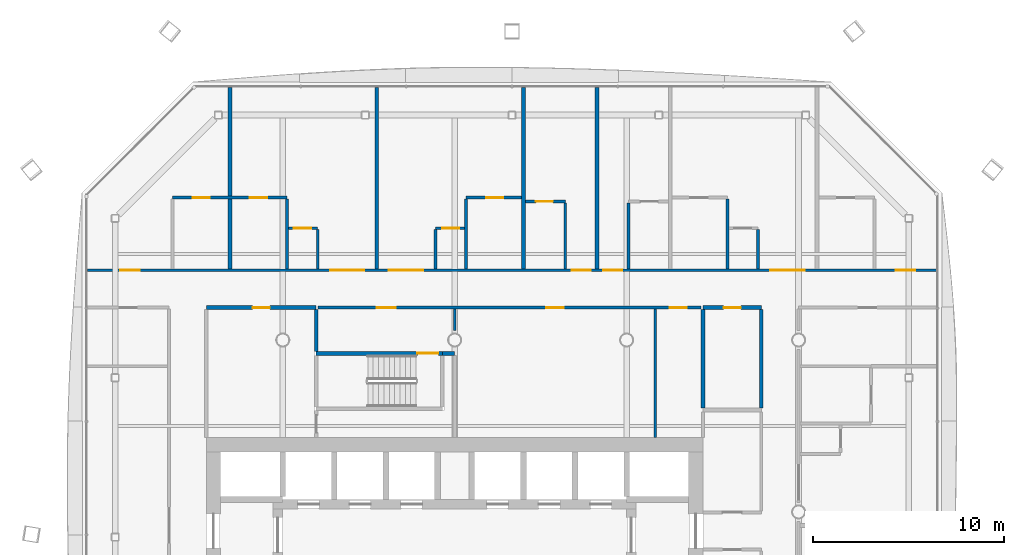
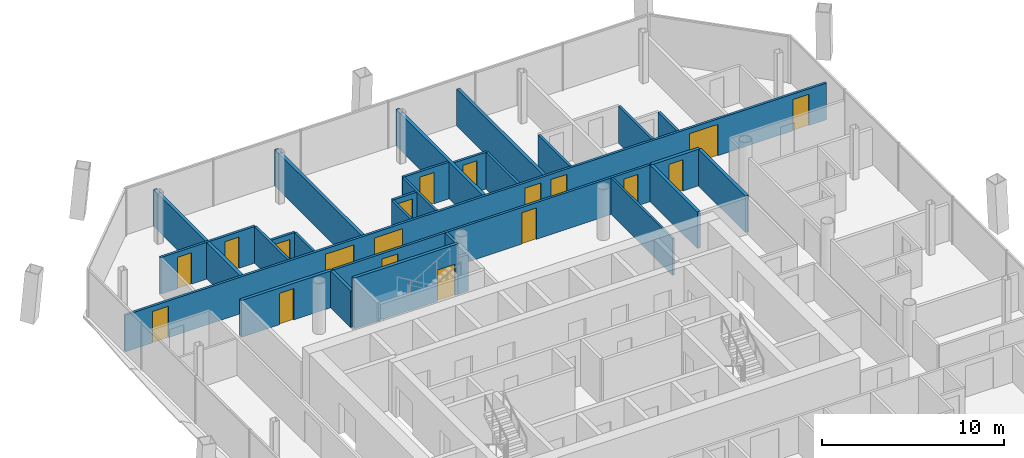
# One storey, part 14 of 18: 28 walls, 19 doors, 19 openings.
"""IFC4 building model written with IfcOpenShell, lengths in metres."""

from ifc_helpers import new_model, si_unit, direction, frame, frame_2d, origin, place, context, subcontext, project, spatial, rectangle, extrude, material, layer, layer_set, type_object, element, fill, save


model = new_model("IFC4")

# Units and contexts
model_context = context("Model", 3, precision=1e-05, world=origin(), true_north=direction((0.0, 1.0)))
body_context = subcontext(model_context, "Body", "Model", "MODEL_VIEW")
ifc_project = project(units=[si_unit("LENGTHUNIT", "METRE"), si_unit("AREAUNIT", "SQUARE_METRE"), si_unit("VOLUMEUNIT", "CUBIC_METRE"), si_unit("PLANEANGLEUNIT", "RADIAN"), si_unit("MASSUNIT", "GRAM", prefix="KILO")], contexts=[model_context])

# Site, building, storey
site_placement = place(None, origin())
site = spatial("IfcSite", under=ifc_project, at=site_placement, CompositionType="ELEMENT")
building_placement = place(site_placement, origin())
building = spatial("IfcBuilding", under=site, at=building_placement, Name="Tskaro Facet Tower", CompositionType="ELEMENT")
storey_placement = place(building_placement, frame((0.0, 0.0, 145.300048828125)))
storey = spatial("IfcBuildingStorey", under=building, at=storey_placement, Name="L35", CompositionType="ELEMENT", Elevation=145.300048828125)

# Wall
ifc_material_1 = material(Name="Gypsum board on steel studs", Category="steel")
ifc_layer_1 = layer(ifc_material_1, 0.125, Name="Gypsum board on steel studs")
ifc_layer_set_1 = layer_set([ifc_layer_1], Name="Gypsum board on steel studs")
wall_type_1 = type_object("IfcWallType", Name="PART", PredefinedType="PARTITIONING", material=ifc_layer_set_1)
wall_1_placement = place(storey_placement, frame((10.5, 3.89990234375, 0.0), z_axis=(0.0, 0.0, 1.0), x_axis=(0.0, 1.0, 0.0)))
element("IfcWall", 1, at=wall_1_placement, inside=storey, type_object=wall_type_1, Name="Partition W101", PredefinedType="PARTITIONING", context=body_context, shape_type="SweptSolid", body=[
    extrude(rectangle(XDim=6.72509765625, YDim=0.125, at=frame_2d((3.362548828125, 0.0))), origin(), (0.0, 0.0, 1.0), 2.4599609375),
])

# Wall, openings, doors
ifc_layer_2 = layer(ifc_material_1, 0.14990234375, Name="Gypsum board on steel studs")
ifc_layer_set_2 = layer_set([ifc_layer_2], Name="Gypsum board on steel studs")
wall_type_2 = type_object("IfcWallType", Name="PART-CORR", PredefinedType="PARTITIONING", material=ifc_layer_set_2)
wall_2_placement = place(storey_placement, frame((12.89990234375, 10.699951171875, 0.0), z_axis=(0.0, 0.0, 1.0), x_axis=(-1.0, 0.0, 0.0)))
wall_2 = element("IfcWall", 2, at=wall_2_placement, inside=storey, type_object=wall_type_2, Name="Corridor wall W041", PredefinedType="PARTITIONING", context=body_context, shape_type="SweptSolid", body=[
    extrude(rectangle(XDim=20.0498046875, YDim=0.14990234375, at=frame_2d((10.02490234375, 0.0))), origin(), (0.0, 0.0, 1.0), 2.4599609375),
])
opening_1_placement = place(wall_2_placement, frame((15.97509765625, 0.0, 0.0)))
opening_1 = element("IfcOpeningElement", 3, at=opening_1_placement, cuts=wall_2, Name="Opening T10-D44", PredefinedType="OPENING", context=body_context, shape_type="SweptSolid", body=[
    extrude(rectangle(XDim=1.0, YDim=2.10009765625, at=frame_2d((0.5, 1.050048828125))), frame((0.0, 0.0849609375, 0.0), z_axis=(0.0, -1.0, 0.0), x_axis=(1.0, 0.0, 0.0)), (0.0, 0.0, 1.0), 0.169921875),
])
opening_2_placement = place(wall_2_placement, frame((7.199951171875, 0.0, 0.0)))
opening_2 = element("IfcOpeningElement", 4, at=opening_2_placement, cuts=wall_2, Name="Opening T10-D45", PredefinedType="OPENING", context=body_context, shape_type="SweptSolid", body=[
    extrude(rectangle(XDim=0.89990234375, YDim=2.10009765625, at=frame_2d((0.449951171875, 1.050048828125))), frame((0.0, 0.0849609375, 0.0), z_axis=(0.0, -1.0, 0.0), x_axis=(1.0, 0.0, 0.0)), (0.0, 0.0, 1.0), 0.169921875),
])
opening_3_placement = place(wall_2_placement, frame((0.75, 0.0, 0.0)))
opening_3 = element("IfcOpeningElement", 5, at=opening_3_placement, cuts=wall_2, Name="Opening T10-D46", PredefinedType="OPENING", context=body_context, shape_type="SweptSolid", body=[
    extrude(rectangle(XDim=0.89990234375, YDim=2.10009765625, at=frame_2d((0.449951171875, 1.050048828125))), frame((0.0, 0.0849609375, 0.0), z_axis=(0.0, -1.0, 0.0), x_axis=(1.0, 0.0, 0.0)), (0.0, 0.0, 1.0), 0.169921875),
])
ifc_material_2 = material(Name="Steel", Category="steel")
door_type_1 = type_object("IfcDoorType", Name="D-LOBBY", OperationType="NOTDEFINED", PredefinedType="DOOR", material=ifc_material_2)
door_1_placement = place(opening_1_placement, origin())
door_1 = element("IfcDoor", 6, at=door_1_placement, inside=storey, type_object=door_type_1, Name="Stair lobby door", OperationType="SINGLE_SWING_RIGHT", OverallHeight=2.10009765625, OverallWidth=1.0, PredefinedType="DOOR", context=body_context, shape_type="SweptSolid", body=[
    extrude(rectangle(XDim=1.0, YDim=2.10009765625, at=frame_2d((0.5, 1.050048828125))), frame((0.0, 0.02490234375, 0.0), z_axis=(0.0, -1.0, 0.0), x_axis=(1.0, 0.0, 0.0)), (0.0, 0.0, 1.0), 0.050048828125),
])
fill(opening_1, door_1)
ifc_material_3 = material(Name="Timber", Category="wood")
door_type_2 = type_object("IfcDoorType", Name="D-ROOM", OperationType="NOTDEFINED", PredefinedType="DOOR", material=ifc_material_3)
door_2_placement = place(opening_2_placement, origin())
door_2 = element("IfcDoor", 7, at=door_2_placement, inside=storey, type_object=door_type_2, Name="Door T10-D45", OperationType="SINGLE_SWING_RIGHT", OverallHeight=2.10009765625, OverallWidth=0.89990234375, PredefinedType="DOOR", context=body_context, shape_type="SweptSolid", body=[
    extrude(rectangle(XDim=0.89990234375, YDim=2.10009765625, at=frame_2d((0.449951171875, 1.050048828125))), frame((0.0, 0.02490234375, 0.0), z_axis=(0.0, -1.0, 0.0), x_axis=(1.0, 0.0, 0.0)), (0.0, 0.0, 1.0), 0.050048828125),
])
fill(opening_2, door_2)
door_3_placement = place(opening_3_placement, origin())
door_3 = element("IfcDoor", 8, at=door_3_placement, inside=storey, type_object=door_type_2, Name="Door T10-D46", OperationType="SINGLE_SWING_RIGHT", OverallHeight=2.10009765625, OverallWidth=0.89990234375, PredefinedType="DOOR", context=body_context, shape_type="SweptSolid", body=[
    extrude(rectangle(XDim=0.89990234375, YDim=2.10009765625, at=frame_2d((0.449951171875, 1.050048828125))), frame((0.0, 0.02490234375, 0.0), z_axis=(0.0, -1.0, 0.0), x_axis=(1.0, 0.0, 0.0)), (0.0, 0.0, 1.0), 0.050048828125),
])
fill(opening_3, door_3)

wall_3_placement = place(storey_placement, frame((-19.221923828125, 12.64990234375, 0.0), z_axis=(0.0, 0.0, 1.0), x_axis=(1.0, 0.0, 0.0)))
wall_3 = element("IfcWall", 9, at=wall_3_placement, inside=storey, type_object=wall_type_2, Name="Corridor wall W044", PredefinedType="PARTITIONING", context=body_context, shape_type="SweptSolid", body=[
    extrude(rectangle(XDim=44.44384765625, YDim=0.14990234375, at=frame_2d((22.221923828125, 0.0))), origin(), (0.0, 0.0, 1.0), 2.4599609375),
])
opening_4_placement = place(wall_3_placement, frame((1.72705078125, 0.0, 0.0)))
opening_4 = element("IfcOpeningElement", 10, at=opening_4_placement, cuts=wall_3, Name="Opening T10-D49", PredefinedType="OPENING", context=body_context, shape_type="SweptSolid", body=[
    extrude(rectangle(XDim=1.0, YDim=2.10009765625, at=frame_2d((0.5, 1.050048828125))), frame((0.0, 0.0849609375, 0.0), z_axis=(0.0, -1.0, 0.0), x_axis=(1.0, 0.0, 0.0)), (0.0, 0.0, 1.0), 0.169921875),
])
opening_5_placement = place(wall_3_placement, frame((12.696044921875, 0.0, 0.0)))
opening_5 = element("IfcOpeningElement", 11, at=opening_5_placement, cuts=wall_3, Name="Opening T10-D50", PredefinedType="OPENING", context=body_context, shape_type="SweptSolid", body=[
    extrude(rectangle(XDim=1.800048828125, YDim=2.10009765625, at=frame_2d((0.89990234375, 1.050048828125))), frame((0.0, 0.0849609375, 0.0), z_axis=(0.0, -1.0, 0.0), x_axis=(1.0, 0.0, 0.0)), (0.0, 0.0, 1.0), 0.169921875),
])
opening_6_placement = place(wall_3_placement, frame((15.780029296875, 0.0, 0.0)))
opening_6 = element("IfcOpeningElement", 12, at=opening_6_placement, cuts=wall_3, Name="Opening T10-D51", PredefinedType="OPENING", context=body_context, shape_type="SweptSolid", body=[
    extrude(rectangle(XDim=1.800048828125, YDim=2.10009765625, at=frame_2d((0.89990234375, 1.050048828125))), frame((0.0, 0.0849609375, 0.0), z_axis=(0.0, -1.0, 0.0), x_axis=(1.0, 0.0, 0.0)), (0.0, 0.0, 1.0), 0.169921875),
])
opening_7_placement = place(wall_3_placement, frame((25.337890625, 0.0, 0.0)))
opening_7 = element("IfcOpeningElement", 13, at=opening_7_placement, cuts=wall_3, Name="Opening T10-D52", PredefinedType="OPENING", context=body_context, shape_type="SweptSolid", body=[
    extrude(rectangle(XDim=1.0, YDim=2.10009765625, at=frame_2d((0.5, 1.050048828125))), frame((0.0, 0.0849609375, 0.0), z_axis=(0.0, -1.0, 0.0), x_axis=(1.0, 0.0, 0.0)), (0.0, 0.0, 1.0), 0.169921875),
])
opening_8_placement = place(wall_3_placement, frame((26.989990234375, 0.0, 0.0)))
opening_8 = element("IfcOpeningElement", 14, at=opening_8_placement, cuts=wall_3, Name="Opening T10-D53", PredefinedType="OPENING", context=body_context, shape_type="SweptSolid", body=[
    extrude(rectangle(XDim=1.0, YDim=2.10009765625, at=frame_2d((0.5, 1.050048828125))), frame((0.0, 0.0849609375, 0.0), z_axis=(0.0, -1.0, 0.0), x_axis=(1.0, 0.0, 0.0)), (0.0, 0.0, 1.0), 0.169921875),
])
opening_9_placement = place(wall_3_placement, frame((35.748046875, 0.0, 0.0)))
opening_9 = element("IfcOpeningElement", 15, at=opening_9_placement, cuts=wall_3, Name="Opening T10-D54", PredefinedType="OPENING", context=body_context, shape_type="SweptSolid", body=[
    extrude(rectangle(XDim=1.800048828125, YDim=2.10009765625, at=frame_2d((0.89990234375, 1.050048828125))), frame((0.0, 0.0849609375, 0.0), z_axis=(0.0, -1.0, 0.0), x_axis=(1.0, 0.0, 0.0)), (0.0, 0.0, 1.0), 0.169921875),
])
opening_10_placement = place(wall_3_placement, frame((42.31689453125, 0.0, 0.0)))
opening_10 = element("IfcOpeningElement", 16, at=opening_10_placement, cuts=wall_3, Name="Opening T10-D55", PredefinedType="OPENING", context=body_context, shape_type="SweptSolid", body=[
    extrude(rectangle(XDim=1.0, YDim=2.10009765625, at=frame_2d((0.5, 1.050048828125))), frame((0.0, 0.0849609375, 0.0), z_axis=(0.0, -1.0, 0.0), x_axis=(1.0, 0.0, 0.0)), (0.0, 0.0, 1.0), 0.169921875),
])
door_type_3 = type_object("IfcDoorType", Name="D-ENTRY", OperationType="NOTDEFINED", PredefinedType="DOOR", material=ifc_material_3)
door_4_placement = place(opening_4_placement, origin())
door_4 = element("IfcDoor", 17, at=door_4_placement, inside=storey, type_object=door_type_3, Name="Door T10-D49", OperationType="SINGLE_SWING_RIGHT", OverallHeight=2.10009765625, OverallWidth=1.0, PredefinedType="DOOR", context=body_context, shape_type="SweptSolid", body=[
    extrude(rectangle(XDim=1.0, YDim=2.10009765625, at=frame_2d((0.5, 1.050048828125))), frame((0.0, 0.02490234375, 0.0), z_axis=(0.0, -1.0, 0.0), x_axis=(1.0, 0.0, 0.0)), (0.0, 0.0, 1.0), 0.050048828125),
])
fill(opening_4, door_4)
door_5_placement = place(opening_7_placement, origin())
door_5 = element("IfcDoor", 18, at=door_5_placement, inside=storey, type_object=door_type_3, Name="Door T10-D52", OperationType="SINGLE_SWING_RIGHT", OverallHeight=2.10009765625, OverallWidth=1.0, PredefinedType="DOOR", context=body_context, shape_type="SweptSolid", body=[
    extrude(rectangle(XDim=1.0, YDim=2.10009765625, at=frame_2d((0.5, 1.050048828125))), frame((0.0, 0.02490234375, 0.0), z_axis=(0.0, -1.0, 0.0), x_axis=(1.0, 0.0, 0.0)), (0.0, 0.0, 1.0), 0.050048828125),
])
fill(opening_7, door_5)
door_6_placement = place(opening_8_placement, origin())
door_6 = element("IfcDoor", 19, at=door_6_placement, inside=storey, type_object=door_type_3, Name="Door T10-D53", OperationType="SINGLE_SWING_RIGHT", OverallHeight=2.10009765625, OverallWidth=1.0, PredefinedType="DOOR", context=body_context, shape_type="SweptSolid", body=[
    extrude(rectangle(XDim=1.0, YDim=2.10009765625, at=frame_2d((0.5, 1.050048828125))), frame((0.0, 0.02490234375, 0.0), z_axis=(0.0, -1.0, 0.0), x_axis=(1.0, 0.0, 0.0)), (0.0, 0.0, 1.0), 0.050048828125),
])
fill(opening_8, door_6)
door_7_placement = place(opening_10_placement, origin())
door_7 = element("IfcDoor", 20, at=door_7_placement, inside=storey, type_object=door_type_3, Name="Door T10-D55", OperationType="SINGLE_SWING_RIGHT", OverallHeight=2.10009765625, OverallWidth=1.0, PredefinedType="DOOR", context=body_context, shape_type="SweptSolid", body=[
    extrude(rectangle(XDim=1.0, YDim=2.10009765625, at=frame_2d((0.5, 1.050048828125))), frame((0.0, 0.02490234375, 0.0), z_axis=(0.0, -1.0, 0.0), x_axis=(1.0, 0.0, 0.0)), (0.0, 0.0, 1.0), 0.050048828125),
])
fill(opening_10, door_7)
door_type_4 = type_object("IfcDoorType", Name="D-SUITE-PAIR", OperationType="NOTDEFINED", PredefinedType="DOOR", material=ifc_material_3)
door_8_placement = place(opening_5_placement, origin())
door_8 = element("IfcDoor", 21, at=door_8_placement, inside=storey, type_object=door_type_4, Name="Door T10-D50", OperationType="DOUBLE_DOOR_SINGLE_SWING", OverallHeight=2.10009765625, OverallWidth=1.800048828125, PredefinedType="DOOR", context=body_context, shape_type="SweptSolid", body=[
    extrude(rectangle(XDim=1.800048828125, YDim=2.10009765625, at=frame_2d((0.89990234375, 1.050048828125))), frame((0.0, 0.02490234375, 0.0), z_axis=(0.0, -1.0, 0.0), x_axis=(1.0, 0.0, 0.0)), (0.0, 0.0, 1.0), 0.050048828125),
])
fill(opening_5, door_8)
door_9_placement = place(opening_6_placement, origin())
door_9 = element("IfcDoor", 22, at=door_9_placement, inside=storey, type_object=door_type_4, Name="Door T10-D51", OperationType="DOUBLE_DOOR_SINGLE_SWING", OverallHeight=2.10009765625, OverallWidth=1.800048828125, PredefinedType="DOOR", context=body_context, shape_type="SweptSolid", body=[
    extrude(rectangle(XDim=1.800048828125, YDim=2.10009765625, at=frame_2d((0.89990234375, 1.050048828125))), frame((0.0, 0.02490234375, 0.0), z_axis=(0.0, -1.0, 0.0), x_axis=(1.0, 0.0, 0.0)), (0.0, 0.0, 1.0), 0.050048828125),
])
fill(opening_6, door_9)
door_10_placement = place(opening_9_placement, origin())
door_10 = element("IfcDoor", 23, at=door_10_placement, inside=storey, type_object=door_type_4, Name="Door T10-D54", OperationType="DOUBLE_DOOR_SINGLE_SWING", OverallHeight=2.10009765625, OverallWidth=1.800048828125, PredefinedType="DOOR", context=body_context, shape_type="SweptSolid", body=[
    extrude(rectangle(XDim=1.800048828125, YDim=2.10009765625, at=frame_2d((0.89990234375, 1.050048828125))), frame((0.0, 0.02490234375, 0.0), z_axis=(0.0, -1.0, 0.0), x_axis=(1.0, 0.0, 0.0)), (0.0, 0.0, 1.0), 0.050048828125),
])
fill(opening_9, door_10)

# Wall, opening, door
wall_4_placement = place(storey_placement, frame((-7.16796875, 14.85009765625, 0.0), z_axis=(0.0, 0.0, 1.0), x_axis=(-1.0, 0.0, 0.0)))
wall_4 = element("IfcWall", 24, at=wall_4_placement, inside=storey, type_object=wall_type_2, Name="Corridor wall W045", PredefinedType="PARTITIONING", context=body_context, shape_type="SweptSolid", body=[
    extrude(rectangle(XDim=1.525146484375, YDim=0.14990234375, at=frame_2d((0.7626953125, 0.0))), origin(), (0.0, 0.0, 1.0), 2.4599609375),
])
opening_11_placement = place(wall_4_placement, frame((0.35009765625, 0.0, 0.0)))
opening_11 = element("IfcOpeningElement", 25, at=opening_11_placement, cuts=wall_4, Name="Opening T10-D56", PredefinedType="OPENING", context=body_context, shape_type="SweptSolid", body=[
    extrude(rectangle(XDim=0.89990234375, YDim=2.10009765625, at=frame_2d((0.449951171875, 1.050048828125))), frame((0.0, 0.0849609375, 0.0), z_axis=(0.0, -1.0, 0.0), x_axis=(1.0, 0.0, 0.0)), (0.0, 0.0, 1.0), 0.169921875),
])
door_11_placement = place(opening_11_placement, origin())
door_11 = element("IfcDoor", 26, at=door_11_placement, inside=storey, type_object=door_type_2, Name="Door T10-D56", OperationType="SINGLE_SWING_RIGHT", OverallHeight=2.10009765625, OverallWidth=0.89990234375, PredefinedType="DOOR", context=body_context, shape_type="SweptSolid", body=[
    extrude(rectangle(XDim=0.89990234375, YDim=2.10009765625, at=frame_2d((0.449951171875, 1.050048828125))), frame((0.0, 0.02490234375, 0.0), z_axis=(0.0, -1.0, 0.0), x_axis=(1.0, 0.0, 0.0)), (0.0, 0.0, 1.0), 0.050048828125),
])
fill(opening_11, door_11)

wall_5_placement = place(storey_placement, frame((0.52490234375, 14.85009765625, 0.0), z_axis=(0.0, 0.0, 1.0), x_axis=(-1.0, 0.0, 0.0)))
wall_5 = element("IfcWall", 27, at=wall_5_placement, inside=storey, type_object=wall_type_2, Name="Corridor wall W046", PredefinedType="PARTITIONING", context=body_context, shape_type="SweptSolid", body=[
    extrude(rectangle(XDim=1.52490234375, YDim=0.14990234375, at=frame_2d((0.762451171875, 0.0))), origin(), (0.0, 0.0, 1.0), 2.4599609375),
])
opening_12_placement = place(wall_5_placement, frame((0.27490234375, 0.0, 0.0)))
opening_12 = element("IfcOpeningElement", 28, at=opening_12_placement, cuts=wall_5, Name="Opening T10-D57", PredefinedType="OPENING", context=body_context, shape_type="SweptSolid", body=[
    extrude(rectangle(XDim=0.89990234375, YDim=2.10009765625, at=frame_2d((0.449951171875, 1.050048828125))), frame((0.0, 0.0849609375, 0.0), z_axis=(0.0, -1.0, 0.0), x_axis=(1.0, 0.0, 0.0)), (0.0, 0.0, 1.0), 0.169921875),
])
door_12_placement = place(opening_12_placement, origin())
door_12 = element("IfcDoor", 29, at=door_12_placement, inside=storey, type_object=door_type_2, Name="Door T10-D57", OperationType="SINGLE_SWING_RIGHT", OverallHeight=2.10009765625, OverallWidth=0.89990234375, PredefinedType="DOOR", context=body_context, shape_type="SweptSolid", body=[
    extrude(rectangle(XDim=0.89990234375, YDim=2.10009765625, at=frame_2d((0.449951171875, 1.050048828125))), frame((0.0, 0.02490234375, 0.0), z_axis=(0.0, -1.0, 0.0), x_axis=(1.0, 0.0, 0.0)), (0.0, 0.0, 1.0), 0.050048828125),
])
fill(opening_12, door_12)

wall_6_placement = place(storey_placement, frame((5.7900390625, 16.25, 0.0), z_axis=(0.0, 0.0, 1.0), x_axis=(-1.0, 0.0, 0.0)))
wall_6 = element("IfcWall", 30, at=wall_6_placement, inside=storey, type_object=wall_type_2, Name="Corridor wall W048", PredefinedType="PARTITIONING", context=body_context, shape_type="SweptSolid", body=[
    extrude(rectangle(XDim=2.090087890625, YDim=0.14990234375, at=frame_2d((1.044921875, 0.0))), origin(), (0.0, 0.0, 1.0), 2.4599609375),
])
opening_13_placement = place(wall_6_placement, frame((0.64501953125, 0.0, 0.0)))
opening_13 = element("IfcOpeningElement", 31, at=opening_13_placement, cuts=wall_6, Name="Opening T10-D59", PredefinedType="OPENING", context=body_context, shape_type="SweptSolid", body=[
    extrude(rectangle(XDim=0.89990234375, YDim=2.10009765625, at=frame_2d((0.449951171875, 1.050048828125))), frame((0.0, 0.0849609375, 0.0), z_axis=(0.0, -1.0, 0.0), x_axis=(1.0, 0.0, 0.0)), (0.0, 0.0, 1.0), 0.169921875),
])
door_13_placement = place(opening_13_placement, origin())
door_13 = element("IfcDoor", 32, at=door_13_placement, inside=storey, type_object=door_type_2, Name="Door T10-D59", OperationType="SINGLE_SWING_RIGHT", OverallHeight=2.10009765625, OverallWidth=0.89990234375, PredefinedType="DOOR", context=body_context, shape_type="SweptSolid", body=[
    extrude(rectangle(XDim=0.89990234375, YDim=2.10009765625, at=frame_2d((0.449951171875, 1.050048828125))), frame((0.0, 0.02490234375, 0.0), z_axis=(0.0, -1.0, 0.0), x_axis=(1.0, 0.0, 0.0)), (0.0, 0.0, 1.0), 0.050048828125),
])
fill(opening_13, door_13)

# Wall, openings, doors
wall_7_placement = place(storey_placement, frame((-8.76806640625, 16.449951171875, 0.0), z_axis=(0.0, 0.0, 1.0), x_axis=(-1.0, 0.0, 0.0)))
wall_7 = element("IfcWall", 33, at=wall_7_placement, inside=storey, type_object=wall_type_2, Name="Corridor wall W050", PredefinedType="PARTITIONING", context=body_context, shape_type="SweptSolid", body=[
    extrude(rectangle(XDim=6.0, YDim=0.14990234375, at=frame_2d((3.0, 0.0))), origin(), (0.0, 0.0, 1.0), 2.4599609375),
])
opening_14_placement = place(wall_7_placement, frame((4.050048828125, 0.0, 0.0)))
opening_14 = element("IfcOpeningElement", 34, at=opening_14_placement, cuts=wall_7, Name="Opening T10-D61", PredefinedType="OPENING", context=body_context, shape_type="SweptSolid", body=[
    extrude(rectangle(XDim=0.89990234375, YDim=2.10009765625, at=frame_2d((0.449951171875, 1.050048828125))), frame((0.0, 0.0849609375, 0.0), z_axis=(0.0, -1.0, 0.0), x_axis=(1.0, 0.0, 0.0)), (0.0, 0.0, 1.0), 0.169921875),
])
opening_15_placement = place(wall_7_placement, frame((1.050048828125, 0.0, 0.0)))
opening_15 = element("IfcOpeningElement", 35, at=opening_15_placement, cuts=wall_7, Name="Opening T10-D62", PredefinedType="OPENING", context=body_context, shape_type="SweptSolid", body=[
    extrude(rectangle(XDim=0.89990234375, YDim=2.10009765625, at=frame_2d((0.449951171875, 1.050048828125))), frame((0.0, 0.0849609375, 0.0), z_axis=(0.0, -1.0, 0.0), x_axis=(1.0, 0.0, 0.0)), (0.0, 0.0, 1.0), 0.169921875),
])
door_14_placement = place(opening_14_placement, origin())
door_14 = element("IfcDoor", 36, at=door_14_placement, inside=storey, type_object=door_type_2, Name="Door T10-D61", OperationType="SINGLE_SWING_RIGHT", OverallHeight=2.10009765625, OverallWidth=0.89990234375, PredefinedType="DOOR", context=body_context, shape_type="SweptSolid", body=[
    extrude(rectangle(XDim=0.89990234375, YDim=2.10009765625, at=frame_2d((0.449951171875, 1.050048828125))), frame((0.0, 0.02490234375, 0.0), z_axis=(0.0, -1.0, 0.0), x_axis=(1.0, 0.0, 0.0)), (0.0, 0.0, 1.0), 0.050048828125),
])
fill(opening_14, door_14)
door_15_placement = place(opening_15_placement, origin())
door_15 = element("IfcDoor", 37, at=door_15_placement, inside=storey, type_object=door_type_2, Name="Door T10-D62", OperationType="SINGLE_SWING_RIGHT", OverallHeight=2.10009765625, OverallWidth=0.89990234375, PredefinedType="DOOR", context=body_context, shape_type="SweptSolid", body=[
    extrude(rectangle(XDim=0.89990234375, YDim=2.10009765625, at=frame_2d((0.449951171875, 1.050048828125))), frame((0.0, 0.02490234375, 0.0), z_axis=(0.0, -1.0, 0.0), x_axis=(1.0, 0.0, 0.0)), (0.0, 0.0, 1.0), 0.050048828125),
])
fill(opening_15, door_15)

# Wall, opening, door
wall_8_placement = place(storey_placement, frame((3.5, 16.449951171875, 0.0), z_axis=(0.0, 0.0, 1.0), x_axis=(-1.0, 0.0, 0.0)))
wall_8 = element("IfcWall", 38, at=wall_8_placement, inside=storey, type_object=wall_type_2, Name="Corridor wall W051", PredefinedType="PARTITIONING", context=body_context, shape_type="SweptSolid", body=[
    extrude(rectangle(XDim=2.89990234375, YDim=0.14990234375, at=frame_2d((1.449951171875, 0.0))), origin(), (0.0, 0.0, 1.0), 2.4599609375),
])
opening_16_placement = place(wall_8_placement, frame((0.949951171875, 0.0, 0.0)))
opening_16 = element("IfcOpeningElement", 39, at=opening_16_placement, cuts=wall_8, Name="Opening T10-D63", PredefinedType="OPENING", context=body_context, shape_type="SweptSolid", body=[
    extrude(rectangle(XDim=0.89990234375, YDim=2.10009765625, at=frame_2d((0.449951171875, 1.050048828125))), frame((0.0, 0.0849609375, 0.0), z_axis=(0.0, -1.0, 0.0), x_axis=(1.0, 0.0, 0.0)), (0.0, 0.0, 1.0), 0.169921875),
])
door_16_placement = place(opening_16_placement, origin())
door_16 = element("IfcDoor", 40, at=door_16_placement, inside=storey, type_object=door_type_2, Name="Door T10-D63", OperationType="SINGLE_SWING_RIGHT", OverallHeight=2.10009765625, OverallWidth=0.89990234375, PredefinedType="DOOR", context=body_context, shape_type="SweptSolid", body=[
    extrude(rectangle(XDim=0.89990234375, YDim=2.10009765625, at=frame_2d((0.449951171875, 1.050048828125))), frame((0.0, 0.02490234375, 0.0), z_axis=(0.0, -1.0, 0.0), x_axis=(1.0, 0.0, 0.0)), (0.0, 0.0, 1.0), 0.050048828125),
])
fill(opening_16, door_16)

# Walls
wall_9_placement = place(storey_placement, frame((-8.76806640625, 12.72509765625, 0.0), z_axis=(0.0, 0.0, 1.0), x_axis=(0.0, 1.0, 0.0)))
element("IfcWall", 41, at=wall_9_placement, inside=storey, type_object=wall_type_2, Name="Corridor wall W063", PredefinedType="PARTITIONING", context=body_context, shape_type="SweptSolid", body=[
    extrude(rectangle(XDim=3.64990234375, YDim=0.14990234375, at=frame_2d((1.824951171875, 0.0))), origin(), (0.0, 0.0, 1.0), 2.4599609375),
])
for number, where, z_axis, x_axis, name in (
    (42, (-7.16796875, 12.72509765625, 0.0), (0.0, 0.0, 1.0), (0.0, 1.0, 0.0), "Corridor wall W067"),
    (43, (-1.0, 12.72509765625, 0.0), (0.0, 0.0, 1.0), (0.0, 1.0, 0.0), "Corridor wall W076"),
):
    element("IfcWall", number, at=place(storey_placement, frame(where, z_axis=z_axis, x_axis=x_axis)), inside=storey, type_object=wall_type_2, Name=name, PredefinedType="PARTITIONING", context=body_context, shape_type="SweptSolid", body=[
        extrude(rectangle(XDim=2.0498046875, YDim=0.14990234375, at=frame_2d((1.02490234375, 0.0))), origin(), (0.0, 0.0, 1.0), 2.4599609375),
    ])
wall_10_placement = place(storey_placement, frame((0.0, 9.5, 0.0), z_axis=(0.0, 0.0, 1.0), x_axis=(0.0, 1.0, 0.0)))
element("IfcWall", 44, at=wall_10_placement, inside=storey, type_object=wall_type_2, Name="Corridor wall W083", PredefinedType="PARTITIONING", context=body_context, shape_type="SweptSolid", body=[
    extrude(rectangle(XDim=1.125, YDim=0.14990234375, at=frame_2d((0.5625, 0.0))), origin(), (0.0, 0.0, 1.0), 2.4599609375),
])
wall_11_placement = place(storey_placement, frame((0.60009765625, 12.72509765625, 0.0), z_axis=(0.0, 0.0, 1.0), x_axis=(0.0, 1.0, 0.0)))
element("IfcWall", 45, at=wall_11_placement, inside=storey, type_object=wall_type_2, Name="Corridor wall W084", PredefinedType="PARTITIONING", context=body_context, shape_type="SweptSolid", body=[
    extrude(rectangle(XDim=3.64990234375, YDim=0.14990234375, at=frame_2d((1.824951171875, 0.0))), origin(), (0.0, 0.0, 1.0), 2.4599609375),
])
for number, where, z_axis, x_axis, name in (
    (46, (5.7900390625, 12.72509765625, 0.0), (0.0, 0.0, 1.0), (0.0, 1.0, 0.0), "Corridor wall W092"),
    (47, (9.093994140625, 12.72509765625, 0.0), (0.0, 0.0, 1.0), (0.0, 1.0, 0.0), "Corridor wall W099"),
):
    element("IfcWall", number, at=place(storey_placement, frame(where, z_axis=z_axis, x_axis=x_axis)), inside=storey, type_object=wall_type_2, Name=name, PredefinedType="PARTITIONING", context=body_context, shape_type="SweptSolid", body=[
        extrude(rectangle(XDim=3.449951171875, YDim=0.14990234375, at=frame_2d((1.72509765625, 0.0))), origin(), (0.0, 0.0, 1.0), 2.4599609375),
    ])
wall_12_placement = place(storey_placement, frame((14.283935546875, 12.72509765625, 0.0), z_axis=(0.0, 0.0, 1.0), x_axis=(0.0, 1.0, 0.0)))
element("IfcWall", 48, at=wall_12_placement, inside=storey, type_object=wall_type_2, Name="Corridor wall W106", PredefinedType="PARTITIONING", context=body_context, shape_type="SweptSolid", body=[
    extrude(rectangle(XDim=3.64990234375, YDim=0.14990234375, at=frame_2d((1.824951171875, 0.0))), origin(), (0.0, 0.0, 1.0), 2.4599609375),
])
wall_13_placement = place(storey_placement, frame((15.884033203125, 12.72509765625, 0.0), z_axis=(0.0, 0.0, 1.0), x_axis=(0.0, 1.0, 0.0)))
element("IfcWall", 49, at=wall_13_placement, inside=storey, type_object=wall_type_2, Name="Corridor wall W108", PredefinedType="PARTITIONING", context=body_context, shape_type="SweptSolid", body=[
    extrude(rectangle(XDim=2.0498046875, YDim=0.14990234375, at=frame_2d((1.02490234375, 0.0))), origin(), (0.0, 0.0, 1.0), 2.4599609375),
])
ifc_layer_3 = layer(ifc_material_1, 0.199951171875, Name="Gypsum board on steel studs")
ifc_layer_set_3 = layer_set([ifc_layer_3], Name="Gypsum board on steel studs")
wall_type_3 = type_object("IfcWallType", Name="PART-DEMISING", PredefinedType="PARTITIONING", material=ifc_layer_set_3)
for number, where, z_axis, x_axis, name in (
    (50, (-11.76806640625, 12.72509765625, 0.0), (0.0, 0.0, 1.0), (0.0, 1.0, 0.0), "Guest room wall W059"),
    (51, (-4.083984375, 12.72509765625, 0.0), (0.0, 0.0, 1.0), (0.0, 1.0, 0.0), "Guest room wall W072"),
    (52, (3.60009765625, 12.72509765625, 0.0), (0.0, 0.0, 1.0), (0.0, 1.0, 0.0), "Guest room wall W091"),
    (53, (7.44189453125, 12.72509765625, 0.0), (0.0, 0.0, 1.0), (0.0, 1.0, 0.0), "Guest room wall W096"),
):
    element("IfcWall", number, at=place(storey_placement, frame(where, z_axis=z_axis, x_axis=x_axis)), inside=storey, type_object=wall_type_3, Name=name, PredefinedType="PARTITIONING", context=body_context, shape_type="SweptSolid", body=[
        extrude(rectangle(XDim=9.496826171875, YDim=0.199951171875, at=frame_2d((4.74853515625, 0.0))), origin(), (0.0, 0.0, 1.0), 2.4599609375),
    ])

# Wall, opening, door
ifc_material_4 = material(Name="Concrete C60/75", Category="concrete")
ifc_layer_4 = layer(ifc_material_4, 0.199951171875, Name="Concrete C60/75")
ifc_layer_set_4 = layer_set([ifc_layer_4], Name="Concrete C60/75")
wall_type_4 = type_object("IfcWallType", Name="STAIR-WALL", PredefinedType="SHEAR", material=ifc_layer_set_4)
wall_14_placement = place(storey_placement, frame((-0.64990234375, 8.300048828125, 0.0), z_axis=(0.0, 0.0, 1.0), x_axis=(-1.0, 0.0, 0.0)))
wall_14 = element("IfcWall", 54, at=wall_14_placement, inside=storey, type_object=wall_type_4, Name="Stair wall W037", PredefinedType="SHEAR", context=body_context, shape_type="SweptSolid", body=[
    extrude(rectangle(XDim=6.60009765625, YDim=0.199951171875, at=frame_2d((3.300048828125, 0.0))), origin(), (0.0, 0.0, 1.0), 3.39990234375),
])
opening_17_placement = place(wall_14_placement, frame((0.199951171875, 0.0, 0.0)))
opening_17 = element("IfcOpeningElement", 55, at=opening_17_placement, cuts=wall_14, Name="Opening ST-3-D1", PredefinedType="OPENING", context=body_context, shape_type="SweptSolid", body=[
    extrude(rectangle(XDim=1.10009765625, YDim=2.10009765625, at=frame_2d((0.550048828125, 1.050048828125))), frame((0.0, 0.10986328125, 0.0), z_axis=(0.0, -1.0, 0.0), x_axis=(1.0, 0.0, 0.0)), (0.0, 0.0, 1.0), 0.219970703125),
])
door_type_5 = type_object("IfcDoorType", Name="D-STAIR", OperationType="NOTDEFINED", PredefinedType="DOOR", material=ifc_material_2)
door_17_placement = place(opening_17_placement, origin())
door_17 = element("IfcDoor", 56, at=door_17_placement, inside=storey, type_object=door_type_5, Name="Stair door 3", OperationType="SINGLE_SWING_RIGHT", OverallHeight=2.10009765625, OverallWidth=1.10009765625, PredefinedType="DOOR", context=body_context, shape_type="SweptSolid", body=[
    extrude(rectangle(XDim=1.10009765625, YDim=2.10009765625, at=frame_2d((0.550048828125, 1.050048828125))), frame((0.0, 0.02490234375, 0.0), z_axis=(0.0, -1.0, 0.0), x_axis=(1.0, 0.0, 0.0)), (0.0, 0.0, 1.0), 0.050048828125),
])
fill(opening_17, door_17)

# Wall
ifc_material_5 = material(Name="Concrete C20/25", Category="concrete")
ifc_layer_5 = layer(ifc_material_5, 0.199951171875, Name="Concrete C20/25")
ifc_layer_set_5 = layer_set([ifc_layer_5], Name="Concrete C20/25")
wall_type_5 = type_object("IfcWallType", Name="WALL-RISER", PredefinedType="SOLIDWALL", material=ifc_layer_set_5)
wall_15_placement = place(storey_placement, frame((-0.64990234375, 8.300048828125, 0.0), z_axis=(0.0, 0.0, 1.0), x_axis=(1.0, 0.0, 0.0)))
element("IfcWall", 57, at=wall_15_placement, inside=storey, type_object=wall_type_5, Name="Riser room wall W038", PredefinedType="SOLIDWALL", context=body_context, shape_type="SweptSolid", body=[
    extrude(rectangle(XDim=0.64990234375, YDim=0.199951171875, at=frame_2d((0.324951171875, 0.0))), origin(), (0.0, 0.0, 1.0), 2.4599609375),
])

# Wall, opening, door
wall_16_placement = place(storey_placement, frame((-7.25, 10.699951171875, 0.0), z_axis=(0.0, 0.0, 1.0), x_axis=(-1.0, 0.0, 0.0)))
wall_16 = element("IfcWall", 58, at=wall_16_placement, inside=storey, type_object=wall_type_5, Name="Riser room wall W040", PredefinedType="SOLIDWALL", context=body_context, shape_type="SweptSolid", body=[
    extrude(rectangle(XDim=5.75, YDim=0.199951171875, at=frame_2d((2.875, 0.0))), origin(), (0.0, 0.0, 1.0), 2.4599609375),
])
opening_18_placement = place(wall_16_placement, frame((2.425048828125, 0.0, 0.0)))
opening_18 = element("IfcOpeningElement", 59, at=opening_18_placement, cuts=wall_16, Name="Opening T10-D43", PredefinedType="OPENING", context=body_context, shape_type="SweptSolid", body=[
    extrude(rectangle(XDim=0.89990234375, YDim=2.10009765625, at=frame_2d((0.449951171875, 1.050048828125))), frame((0.0, 0.10986328125, 0.0), z_axis=(0.0, -1.0, 0.0), x_axis=(1.0, 0.0, 0.0)), (0.0, 0.0, 1.0), 0.219970703125),
])
door_type_6 = type_object("IfcDoorType", Name="D-RISER", OperationType="NOTDEFINED", PredefinedType="DOOR", material=ifc_material_2)
door_18_placement = place(opening_18_placement, origin())
door_18 = element("IfcDoor", 60, at=door_18_placement, inside=storey, type_object=door_type_6, Name="Door T10-D43", OperationType="SINGLE_SWING_RIGHT", OverallHeight=2.10009765625, OverallWidth=0.89990234375, PredefinedType="DOOR", context=body_context, shape_type="SweptSolid", body=[
    extrude(rectangle(XDim=0.89990234375, YDim=2.10009765625, at=frame_2d((0.449951171875, 1.050048828125))), frame((0.0, 0.02490234375, 0.0), z_axis=(0.0, -1.0, 0.0), x_axis=(1.0, 0.0, 0.0)), (0.0, 0.0, 1.0), 0.050048828125),
])
fill(opening_18, door_18)

wall_17_placement = place(storey_placement, frame((16.050048828125, 10.699951171875, 0.0), z_axis=(0.0, 0.0, 1.0), x_axis=(-1.0, 0.0, 0.0)))
wall_17 = element("IfcWall", 61, at=wall_17_placement, inside=storey, type_object=wall_type_5, Name="Riser room wall W042", PredefinedType="SOLIDWALL", context=body_context, shape_type="SweptSolid", body=[
    extrude(rectangle(XDim=3.050048828125, YDim=0.199951171875, at=frame_2d((1.52490234375, 0.0))), origin(), (0.0, 0.0, 1.0), 2.4599609375),
])
opening_19_placement = place(wall_17_placement, frame((1.074951171875, 0.0, 0.0)))
opening_19 = element("IfcOpeningElement", 62, at=opening_19_placement, cuts=wall_17, Name="Opening T10-D47", PredefinedType="OPENING", context=body_context, shape_type="SweptSolid", body=[
    extrude(rectangle(XDim=0.89990234375, YDim=2.10009765625, at=frame_2d((0.449951171875, 1.050048828125))), frame((0.0, 0.10986328125, 0.0), z_axis=(0.0, -1.0, 0.0), x_axis=(1.0, 0.0, 0.0)), (0.0, 0.0, 1.0), 0.219970703125),
])
door_19_placement = place(opening_19_placement, origin())
door_19 = element("IfcDoor", 63, at=door_19_placement, inside=storey, type_object=door_type_6, Name="Door T10-D47", OperationType="SINGLE_SWING_RIGHT", OverallHeight=2.10009765625, OverallWidth=0.89990234375, PredefinedType="DOOR", context=body_context, shape_type="SweptSolid", body=[
    extrude(rectangle(XDim=0.89990234375, YDim=2.10009765625, at=frame_2d((0.449951171875, 1.050048828125))), frame((0.0, 0.02490234375, 0.0), z_axis=(0.0, -1.0, 0.0), x_axis=(1.0, 0.0, 0.0)), (0.0, 0.0, 1.0), 0.050048828125),
])
fill(opening_19, door_19)

# Walls
wall_18_placement = place(storey_placement, frame((-7.25, 8.39990234375, 0.0), z_axis=(0.0, 0.0, 1.0), x_axis=(0.0, 1.0, 0.0)))
element("IfcWall", 64, at=wall_18_placement, inside=storey, type_object=wall_type_5, Name="Riser room wall W066", PredefinedType="SOLIDWALL", context=body_context, shape_type="SweptSolid", body=[
    extrude(rectangle(XDim=2.2001953125, YDim=0.199951171875, at=frame_2d((1.10009765625, 0.0))), origin(), (0.0, 0.0, 1.0), 2.4599609375),
])
for number, where, z_axis, x_axis, name in (
    (65, (13.0, 5.43701171875, 0.0), (0.0, 0.0, 1.0), (0.0, 1.0, 0.0), "Riser room wall W105"),
    (66, (16.050048828125, 5.43701171875, 0.0), (0.0, 0.0, 1.0), (0.0, 1.0, 0.0), "Riser room wall W111"),
):
    element("IfcWall", number, at=place(storey_placement, frame(where, z_axis=z_axis, x_axis=x_axis)), inside=storey, type_object=wall_type_5, Name=name, PredefinedType="SOLIDWALL", context=body_context, shape_type="SweptSolid", body=[
        extrude(rectangle(XDim=5.1630859375, YDim=0.199951171875, at=frame_2d((2.58154296875, 0.0))), origin(), (0.0, 0.0, 1.0), 2.4599609375),
    ])

save(model, "model.ifc")
